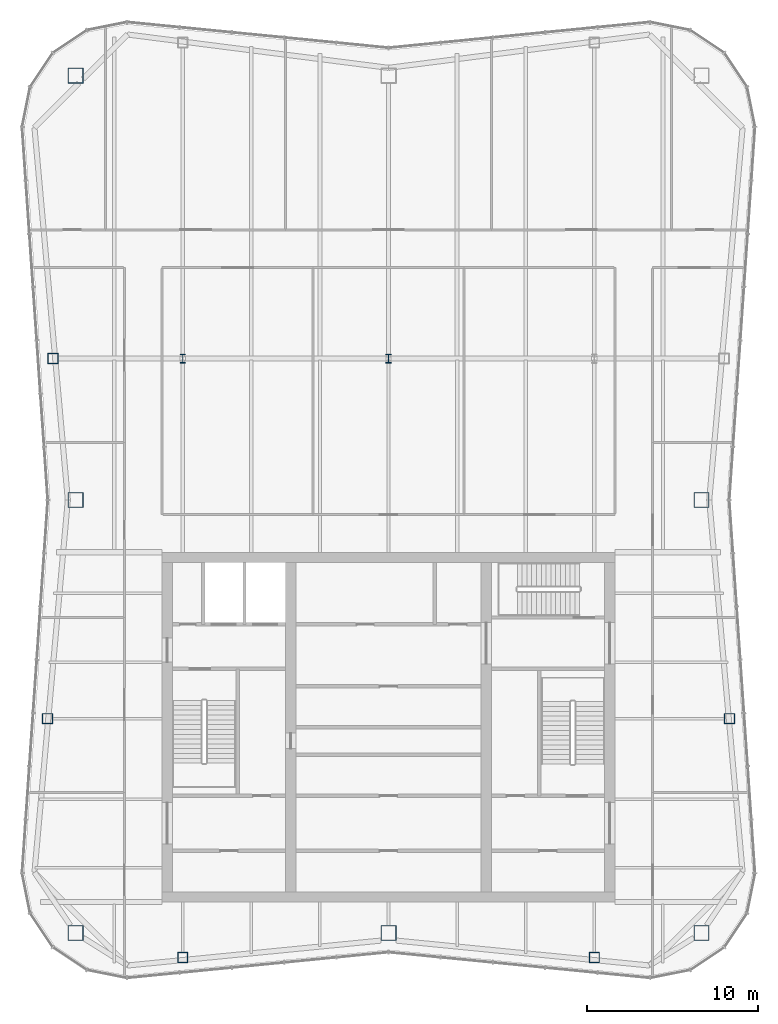
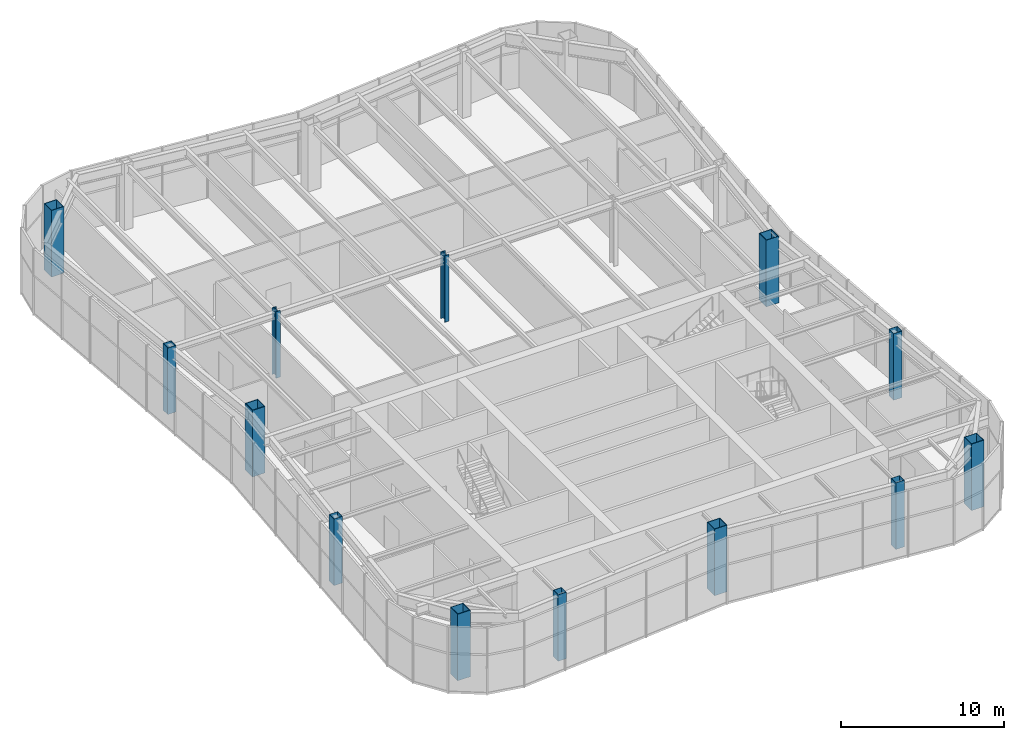
# One storey, part 1 of 13: 13 columns.
"""IFC4 building model written with IfcOpenShell, lengths in metres."""

from ifc_helpers import new_model, si_unit, direction, frame, origin, origin_2d, place, context, subcontext, project, spatial, hollow_rectangle, i_section, extrude, material, material_profile, profile_set, type_object, element, save


model = new_model("IFC4")

# Units and contexts
model_context = context("Model", 3, precision=1e-05, world=origin(), true_north=direction((0.0, 1.0)))
body_context = subcontext(model_context, "Body", "Model", "MODEL_VIEW")
ifc_project = project(units=[si_unit("LENGTHUNIT", "METRE"), si_unit("AREAUNIT", "SQUARE_METRE"), si_unit("VOLUMEUNIT", "CUBIC_METRE"), si_unit("PLANEANGLEUNIT", "RADIAN"), si_unit("MASSUNIT", "GRAM", prefix="KILO")], contexts=[model_context])

# Site, building, storey
site_placement = place(None, origin())
site = spatial("IfcSite", under=ifc_project, at=site_placement, CompositionType="ELEMENT")
building_placement = place(site_placement, origin())
building = spatial("IfcBuilding", under=site, at=building_placement, Name="Verdant Reach Tower", CompositionType="ELEMENT")
storey_placement = place(building_placement, frame((0.0, 0.0, 349.5)))
storey = spatial("IfcBuildingStorey", under=building, at=storey_placement, Name="L79 Plant", CompositionType="ELEMENT", Elevation=349.5)

# Columns
ifc_material = material(Name="Steel S460", Category="steel")
ifc_material_profile_1 = material_profile(ifc_material, i_section(OverallWidth=0.305908203125, OverallDepth=0.52392578125, WebThickness=0.012451171875, FlangeThickness=0.0400390625, FilletRadius=0.027099609375, at=origin_2d()), Name="HEM 500")
ifc_profile_set_1 = profile_set([ifc_material_profile_1], Name="Steel S460")
column_type_1 = type_object("IfcColumnType", Name="ST-COL-HEM500", PredefinedType="COLUMN", material=ifc_profile_set_1)
for number, where, z_axis, x_axis, name in (
    (1, (-12.0, 49.5, 0.0), (0.0, 0.0, 1.0), (1.0, 0.0, 0.0), "Interior column 1, L79 Plant"),
    (2, (0.0, 49.5, 0.0), (0.0, 0.0, 1.0), (1.0, 0.0, 0.0), "Interior column 2, L79 Plant"),
):
    element("IfcColumn", number, at=place(storey_placement, frame(where, z_axis=z_axis, x_axis=x_axis)), inside=storey, type_object=column_type_1, Name=name, PredefinedType="COLUMN", context=body_context, shape_type="SweptSolid", body=[
        extrude(i_section(OverallWidth=0.305908203125, OverallDepth=0.52392578125, WebThickness=0.012451171875, FlangeThickness=0.0400390625, FilletRadius=0.027099609375, at=origin_2d()), origin(), (0.0, 0.0, 1.0), 5.0),
    ])
ifc_material_profile_2 = material_profile(ifc_material, hollow_rectangle(XDim=0.60009765625, YDim=0.60009765625, WallThickness=0.02490234375, at=origin_2d()), Name="WB 600x600x25")
ifc_profile_set_2 = profile_set([ifc_material_profile_2], Name="Steel S460")
column_type_2 = type_object("IfcColumnType", Name="ST-COL-WB600x600x25", PredefinedType="COLUMN", material=ifc_profile_set_2)
for number, where, z_axis, x_axis, name in (
    (3, (-12.0, 14.569580078125, 0.0), (0.0, 0.0, 1.0), (1.0, 0.0, 0.0), "Perimeter column south 1, L79 Plant"),
    (4, (12.0, 14.569580078125, 0.0), (0.0, 0.0, 1.0), (1.0, 0.0, 0.0), "Perimeter column south 2, L79 Plant"),
    (5, (19.87939453125, 28.5, 0.0), (0.0, 0.0, 1.0), (1.0, 0.0, 0.0), "Perimeter column east 1, L79 Plant"),
    (6, (-19.87939453125, 28.5, 0.0), (0.0, 0.0, 1.0), (1.0, 0.0, 0.0), "Perimeter column west 1, L79 Plant"),
    (7, (-19.569091796875, 49.5, 0.0), (0.0, 0.0, 1.0), (1.0, 0.0, 0.0), "Perimeter column west 2, L79 Plant"),
):
    element("IfcColumn", number, at=place(storey_placement, frame(where, z_axis=z_axis, x_axis=x_axis)), inside=storey, type_object=column_type_2, Name=name, PredefinedType="COLUMN", context=body_context, shape_type="SweptSolid", body=[
        extrude(hollow_rectangle(XDim=0.60009765625, YDim=0.60009765625, WallThickness=0.02490234375, at=origin_2d()), origin(), (0.0, 0.0, 1.0), 5.0),
    ])
ifc_material_profile_3 = material_profile(ifc_material, hollow_rectangle(XDim=0.89990234375, YDim=0.89990234375, WallThickness=0.0400390625, at=origin_2d()), Name="WB 900x900x40")
ifc_profile_set_3 = profile_set([ifc_material_profile_3], Name="Steel S460")
column_type_3 = type_object("IfcColumnType", Name="ST-COL-WB900x900x40", PredefinedType="COLUMN", material=ifc_profile_set_3)
for number, where, z_axis, x_axis, name in (
    (8, (-18.25, 66.0, 0.0), (0.0, 0.0, 1.0), (1.0, 0.0, 0.0), "Mega column north-west, L79 Plant"),
    (9, (18.25, 41.25, 0.0), (0.0, 0.0, 1.0), (1.0, 0.0, 0.0), "Mega column east, L79 Plant"),
    (10, (18.25, 16.0, 0.0), (0.0, 0.0, 1.0), (1.0, 0.0, 0.0), "Mega column south-east, L79 Plant"),
    (11, (0.0, 16.0, 0.0), (0.0, 0.0, 1.0), (1.0, 0.0, 0.0), "Mega column south, L79 Plant"),
    (12, (-18.25, 16.0, 0.0), (0.0, 0.0, 1.0), (1.0, 0.0, 0.0), "Mega column south-west, L79 Plant"),
    (13, (-18.25, 41.25, 0.0), (0.0, 0.0, 1.0), (1.0, 0.0, 0.0), "Mega column west, L79 Plant"),
):
    element("IfcColumn", number, at=place(storey_placement, frame(where, z_axis=z_axis, x_axis=x_axis)), inside=storey, type_object=column_type_3, Name=name, PredefinedType="COLUMN", context=body_context, shape_type="SweptSolid", body=[
        extrude(hollow_rectangle(XDim=0.89990234375, YDim=0.89990234375, WallThickness=0.0400390625, at=origin_2d()), origin(), (0.0, 0.0, 1.0), 5.0),
    ])

save(model, "model.ifc")
